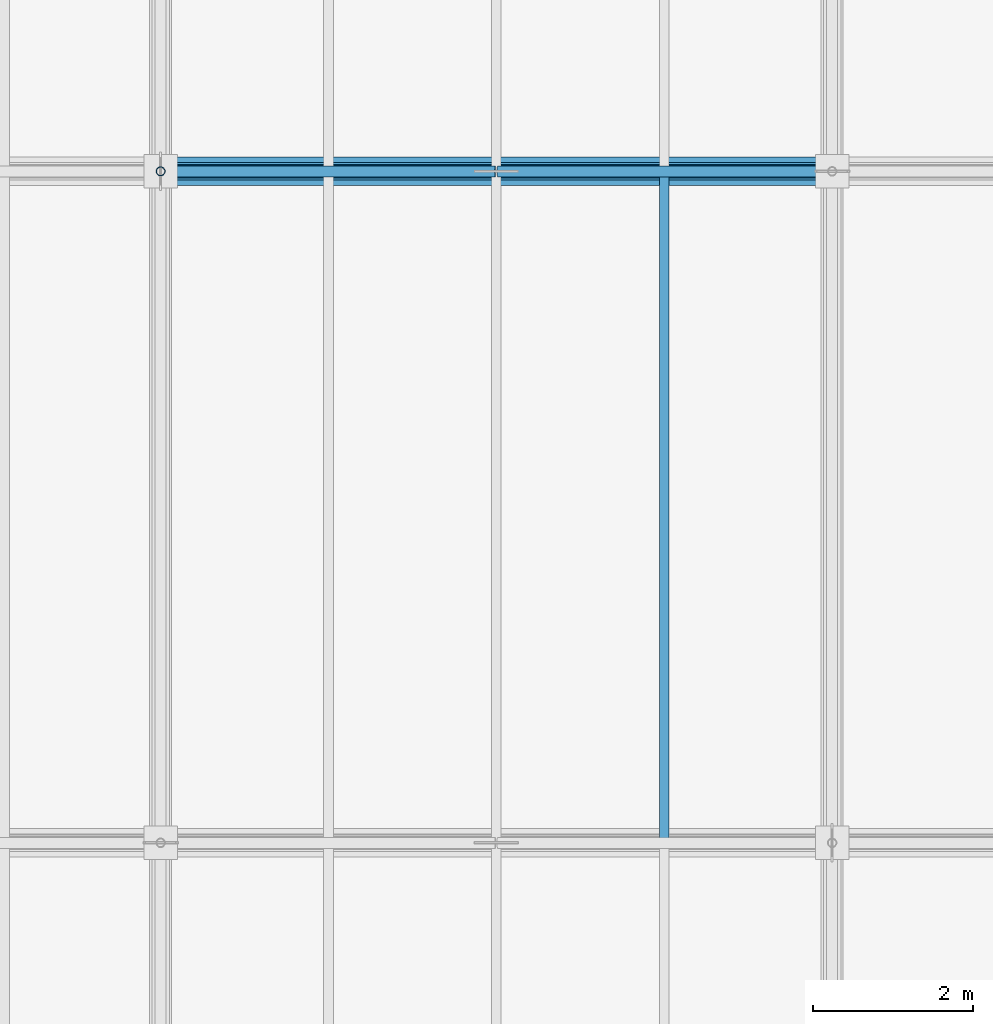
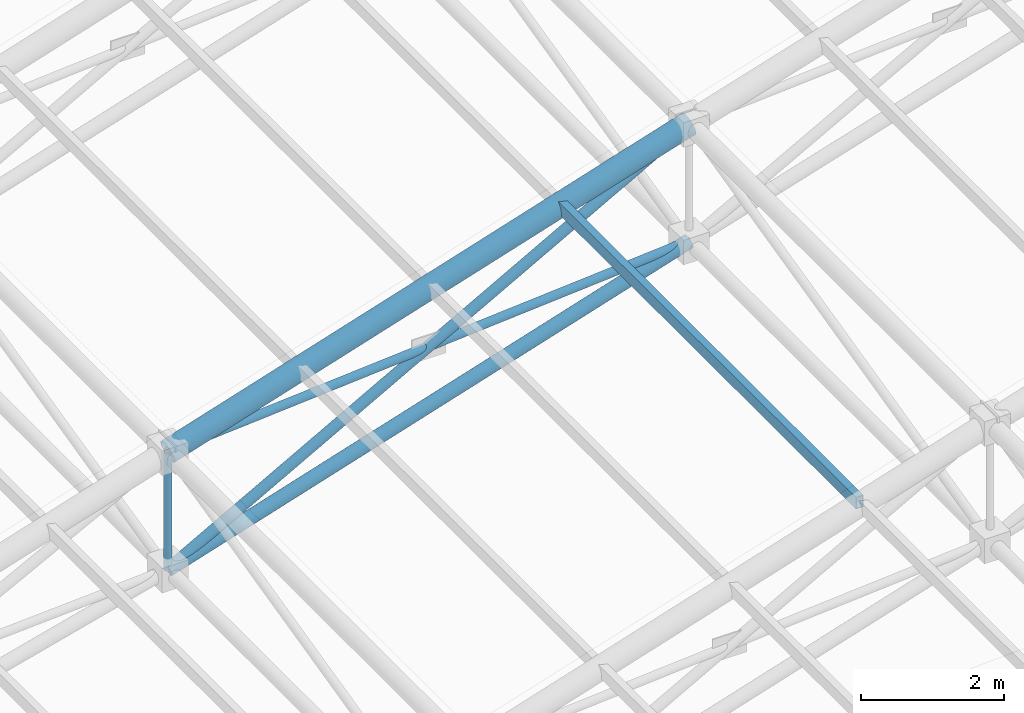
# One storey, part 32 of 144: 7 members.
"""IFC4 building model written with IfcOpenShell, lengths in metres."""

import ifcopenshell
import ifcopenshell.guid

model = None  # the IFC model being written
_history = None  # IfcOwnerHistory: only IFC2X3 demands one
_inside = {}  # id of a spatial element -> (the spatial element, [elements in it])
_under = {}  # id of a project, library or spatial element -> (it, [spatial elements below it])
_declared = {}  # id of a project -> (the project, [libraries it declares])
_typed = {}  # id of a type object -> (the type object, [elements of that type])
_made_of = {}  # id of a material, layer set ... -> (it, [elements and type objects made of it])


def new_model(schema):
    """Start an empty IFC model of exactly this schema.

    Asked for "IFC4X3", IfcOpenShell would pick the latest addendum, in which some entities
    have other attributes; the version numbers below select the first issue.
    IFC2X3 requires an IfcOwnerHistory on every rooted entity: one is made here for all.
    """
    global model, _history
    if schema == "IFC4X3":
        model = ifcopenshell.file(schema_version=(4, 3, 0, 0))
    else:
        model = ifcopenshell.file(schema=schema)
    _inside.clear()
    _under.clear()
    _declared.clear()
    _typed.clear()
    _made_of.clear()
    _history = None
    if model.schema == "IFC2X3":
        org = make("IfcOrganization", Name="unknown")
        user = make(
            "IfcPersonAndOrganization",
            ThePerson=make("IfcPerson", FamilyName="unknown"),
            TheOrganization=org,
        )
        app = make(
            "IfcApplication",
            ApplicationDeveloper=org,
            Version="unknown",
            ApplicationFullName="unknown",
            ApplicationIdentifier="unknown",
        )
        _history = make(
            "IfcOwnerHistory",
            OwningUser=user,
            OwningApplication=app,
            ChangeAction="ADDED",
            CreationDate=0,
        )
    return model


def make(cls, **values):
    """One entity of the class cls with the attributes given. An attribute that is None is left unset."""
    return model.create_entity(
        cls, **{name: value for name, value in values.items() if value is not None}
    )


def rooted(cls, **values):
    """An entity with a GlobalId (a new one), such as an element, a storey or a relation."""
    return make(cls, GlobalId=ifcopenshell.guid.new(), OwnerHistory=_history, **values)


def si_unit(unit_type, name, prefix=None):
    """IfcSIUnit, for example si_unit("LENGTHUNIT", "METRE", prefix="MILLI")."""
    return make("IfcSIUnit", UnitType=unit_type, Prefix=prefix, Name=name)


def assignment(units):
    """IfcUnitAssignment: the units of a project."""
    return None if units is None else make("IfcUnitAssignment", Units=units)


def point(xyz):
    """IfcCartesianPoint."""
    return None if xyz is None else make("IfcCartesianPoint", Coordinates=xyz)


def direction(xyz):
    """IfcDirection."""
    return None if xyz is None else make("IfcDirection", DirectionRatios=xyz)


def frame(location, z_axis=None, x_axis=None):
    """IfcAxis2Placement3D, a coordinate frame: its origin and axes. An axis left out is left unset."""
    return make(
        "IfcAxis2Placement3D",
        Location=point(location),
        Axis=direction(z_axis),
        RefDirection=direction(x_axis),
    )


def frame_2d(location, x_axis=None):
    """IfcAxis2Placement2D, a coordinate frame in the plane: its origin and x axis."""
    return make(
        "IfcAxis2Placement2D", Location=point(location), RefDirection=direction(x_axis)
    )


def origin():
    """The frame at (0, 0, 0) with its axes left unset."""
    return frame((0.0, 0.0, 0.0))


def origin_2d():
    """The frame at (0, 0) in the plane with its x axis left unset."""
    return frame_2d((0.0, 0.0))


def place(relative_to, where):
    """IfcLocalPlacement: puts the frame where relative to a parent placement (None: the world)."""
    return make(
        "IfcLocalPlacement", PlacementRelTo=relative_to, RelativePlacement=where
    )


def context(
    kind, dimensions, precision=None, world=None, true_north=None, identifier=None
):
    """IfcGeometricRepresentationContext, for example the 3D "Model" context."""
    return make(
        "IfcGeometricRepresentationContext",
        ContextIdentifier=identifier,
        ContextType=kind,
        CoordinateSpaceDimension=dimensions,
        Precision=precision,
        WorldCoordinateSystem=world,
        TrueNorth=true_north,
    )


def subcontext(parent, identifier, kind, view, scale=None):
    """IfcGeometricRepresentationSubContext, for example "Body" below "Model"."""
    return make(
        "IfcGeometricRepresentationSubContext",
        ContextIdentifier=identifier,
        ContextType=kind,
        ParentContext=parent,
        TargetScale=scale,
        TargetView=view,
    )


def project(units=None, contexts=None):
    """IfcProject with its units and contexts."""
    return rooted(
        "IfcProject",
        Name="project",
        RepresentationContexts=contexts,
        UnitsInContext=assignment(units),
    )


def spatial(cls, under=None, at=None, **own):
    """A site, building, storey or space (cls), placed at a placement, below another one or the project."""
    s = rooted(cls, ObjectPlacement=at, **own)
    if under is not None:
        _under.setdefault(under.id(), (under, []))[1].append(s)
    return s


def profile(cls, at=None, kind="AREA", **sizes):
    """A parametric profile (cls). Its sizes go by their IFC names, for example OverallWidth=200.0."""
    return make(cls, ProfileType=kind, Position=at, **sizes)


def hollow_rectangle(**sizes):
    """IfcRectangleHollowProfileDef."""
    return profile("IfcRectangleHollowProfileDef", **sizes)


def hollow_circle(**sizes):
    """IfcCircleHollowProfileDef."""
    return profile("IfcCircleHollowProfileDef", **sizes)


def extrude(swept, where, along, depth):
    """IfcExtrudedAreaSolid: the profile swept, set in the frame where, extruded along a direction by depth."""
    return make(
        "IfcExtrudedAreaSolid",
        SweptArea=swept,
        Position=where,
        ExtrudedDirection=direction(along),
        Depth=depth,
    )


def shape(context_of_items, identifier, shape_type, items):
    """IfcShapeRepresentation: the items that make up one representation, for example the "Body"."""
    return make(
        "IfcShapeRepresentation",
        ContextOfItems=context_of_items,
        RepresentationIdentifier=identifier,
        RepresentationType=shape_type,
        Items=items,
    )


def material(Name=None, Category=None):
    """IfcMaterial."""
    return make("IfcMaterial", Name=Name, Category=Category)


def material_profile(
    of_material, cross_section, Name=None, Category=None, Priority=None
):
    """IfcMaterialProfile: a cross section and its material."""
    return make(
        "IfcMaterialProfile",
        Name=Name,
        Material=of_material,
        Profile=cross_section,
        Priority=Priority,
        Category=Category,
    )


def profile_set(profiles, Name=None, composite=None):
    """IfcMaterialProfileSet."""
    return make(
        "IfcMaterialProfileSet",
        Name=Name,
        MaterialProfiles=profiles,
        CompositeProfile=composite,
    )


def made_of(thing, what):
    """Note that an element or type object is made of a material, layer set ...; save() writes the relation."""
    if what is not None:
        _made_of.setdefault(what.id(), (what, []))[1].append(thing)
    return thing


def type_object(cls, material=None, **own):
    """A type object (cls), such as IfcWallType, which elements share."""
    return made_of(rooted(cls, **own), material)


def element(
    cls,
    number,
    at=None,
    inside=None,
    cuts=None,
    type_object=None,
    material=None,
    context=None,
    identifier="Body",
    shape_type=None,
    held_by="IfcProductDefinitionShape",
    body=None,
    shapes=None,
    **own,
):
    """One element of the class cls, such as IfcWall. Its Tag is "e" and its number.

    at: its placement. inside: the storey or other place that contains it. cuts: it is an
    opening in that element (IfcRelVoidsElement). A single representation is given by context,
    identifier, shape_type and body (its items); several are given by shapes. held_by: the class
    of the entity that holds the representations. save() writes the other relations.
    """
    e = rooted(cls, Tag="e%d" % number, ObjectPlacement=at, **own)
    if body is not None:
        shapes = [shape(context, identifier, shape_type, body)]
    if shapes is not None:
        e.Representation = make(held_by, Representations=shapes)
    if inside is not None:
        _inside.setdefault(inside.id(), (inside, []))[1].append(e)
    if cuts is not None:
        rooted(
            "IfcRelVoidsElement", RelatingBuildingElement=cuts, RelatedOpeningElement=e
        )
    if type_object is not None:
        _typed.setdefault(type_object.id(), (type_object, []))[1].append(e)
    return made_of(e, material)


def aggregate(whole, parts):
    """IfcRelAggregates: a whole, such as a stair, and the parts it consists of."""
    return rooted("IfcRelAggregates", RelatingObject=whole, RelatedObjects=parts)


def save(model, path):
    """Write the relations noted so far, then the file.

    IfcRelAggregates (storeys below a building ...), IfcRelContainedInSpatialStructure (elements
    in a storey), IfcRelDefinesByType, IfcRelAssociatesMaterial and IfcRelDeclares: one each for
    every whole, place, type object, material and project.
    """
    for whole, parts in _under.values():
        aggregate(whole, parts)
    for where, things in _inside.values():
        rooted(
            "IfcRelContainedInSpatialStructure",
            RelatedElements=things,
            RelatingStructure=where,
        )
    for kind, things in _typed.values():
        rooted("IfcRelDefinesByType", RelatedObjects=things, RelatingType=kind)
    for what, things in _made_of.values():
        rooted("IfcRelAssociatesMaterial", RelatedObjects=things, RelatingMaterial=what)
    for by, libraries in _declared.values():
        rooted("IfcRelDeclares", RelatingContext=by, RelatedDefinitions=libraries)
    model.write(path)


model = new_model("IFC4")

# Units and contexts
model_context = context("Model", 3, precision=1e-05, world=origin(), true_north=direction((0.0, 1.0)))
body_context = subcontext(model_context, "Body", "Model", "MODEL_VIEW")
ifc_project = project(units=[si_unit("LENGTHUNIT", "METRE"), si_unit("AREAUNIT", "SQUARE_METRE"), si_unit("VOLUMEUNIT", "CUBIC_METRE"), si_unit("PLANEANGLEUNIT", "RADIAN"), si_unit("MASSUNIT", "GRAM", prefix="KILO")], contexts=[model_context])

# Site, building, storey
site_placement = place(None, origin())
site = spatial("IfcSite", under=ifc_project, at=site_placement, CompositionType="ELEMENT")
building_placement = place(site_placement, origin())
building = spatial("IfcBuilding", under=site, at=building_placement, Name="Zayran Congress Hotel", CompositionType="ELEMENT")
storey_placement = place(building_placement, frame((0.0, 0.0, 19.199951171875)))
storey = spatial("IfcBuildingStorey", under=building, at=storey_placement, Name="L04", CompositionType="ELEMENT", Elevation=19.199951171875)

# Members
ifc_material = material(Name="Steel S355", Category="steel")
ifc_material_profile_1 = material_profile(ifc_material, hollow_circle(Radius=0.177734375, WallThickness=0.01611328125, at=origin_2d()), Name="CHS 355.6x16")
ifc_profile_set_1 = profile_set([ifc_material_profile_1], Name="Steel S355")
member_type_1 = type_object("IfcMemberType", Name="TP-SF-TC1", PredefinedType="CHORD", material=ifc_profile_set_1)
member_1_placement = place(storey_placement, frame((16.800048828125, 84.39990234375, 4.652099609375), z_axis=(0.953670596398, 0.0, 0.300852777228), x_axis=(0.0, 1.0, 0.0)))
element("IfcMember", 1, at=member_1_placement, inside=storey, type_object=member_type_1, Name="Space Frame Top Chord X 76", PredefinedType="CHORD", context=body_context, shape_type="SweptSolid", body=[
    extrude(hollow_circle(Radius=0.177734375, WallThickness=0.01611328125, at=origin_2d()), origin(), (0.0, 0.0, 1.0), 8.807861328125),
])
ifc_material_profile_2 = material_profile(ifc_material, hollow_circle(Radius=0.109619140625, WallThickness=0.010009765625, at=origin_2d()), Name="CHS 219.1x10")
ifc_profile_set_2 = profile_set([ifc_material_profile_2], Name="Steel S355")
member_type_2 = type_object("IfcMemberType", Name="TP-SF-BC1", PredefinedType="CHORD", material=ifc_profile_set_2)
member_2_placement = place(storey_placement, frame((16.800048828125, 84.39990234375, 2.650146484375), z_axis=(0.953670596398, 0.0, 0.300852777228), x_axis=(0.0, 1.0, 0.0)))
element("IfcMember", 2, at=member_2_placement, inside=storey, type_object=member_type_2, Name="Space Frame Bottom Chord X 77", PredefinedType="CHORD", context=body_context, shape_type="SweptSolid", body=[
    extrude(hollow_circle(Radius=0.109619140625, WallThickness=0.010009765625, at=origin_2d()), origin(), (0.0, 0.0, 1.0), 8.807861328125),
])
ifc_material_profile_3 = material_profile(ifc_material, hollow_circle(Radius=0.084228515625, WallThickness=0.008056640625, at=origin_2d()), Name="CHS 168.3x8")
ifc_profile_set_3 = profile_set([ifc_material_profile_3], Name="Steel S355")
member_type_3 = type_object("IfcMemberType", Name="TP-SF-DG1", PredefinedType="BRACE", material=ifc_profile_set_3)
member_3_placement = place(storey_placement, frame((16.800048828125, 84.39990234375, 2.650146484375), z_axis=(0.87480892947, 0.0, 0.484468096905), x_axis=(0.0, 1.0, 0.0)))
element("IfcMember", 3, at=member_3_placement, inside=storey, type_object=member_type_3, Name="Space Frame Web Diagonal X 78", PredefinedType="BRACE", context=body_context, shape_type="SweptSolid", body=[
    extrude(hollow_circle(Radius=0.084228515625, WallThickness=0.008056640625, at=origin_2d()), origin(), (0.0, 0.0, 1.0), 9.60205078125),
])
ifc_material_profile_4 = material_profile(ifc_material, hollow_circle(Radius=0.06982421875, WallThickness=0.00634765625, at=origin_2d()), Name="CHS 139.7x6.3")
ifc_profile_set_4 = profile_set([ifc_material_profile_4], Name="Steel S355")
member_type_4 = type_object("IfcMemberType", Name="TP-SF-DG2", PredefinedType="BRACE", material=ifc_profile_set_4)
for number, where, z_axis, x_axis, name in (
    (4, (16.800048828125, 84.39990234375, 4.652099609375), (0.997039412202, 0.0, 0.076892200614), (0.0, 1.0, 0.0), "Space Frame Counter Diagonal X Upper 79"),
    (5, (21.014892578125, 84.39990234375, 4.977294921875), (0.997039412202, 0.0, 0.076892200614), (0.0, 1.0, 0.0), "Space Frame Counter Diagonal X Lower 16"),
):
    element("IfcMember", number, at=place(storey_placement, frame(where, z_axis=z_axis, x_axis=x_axis)), inside=storey, type_object=member_type_4, Name=name, PredefinedType="BRACE", context=body_context, shape_type="SweptSolid", body=[
        extrude(hollow_circle(Radius=0.06982421875, WallThickness=0.00634765625, at=origin_2d()), origin(), (0.0, 0.0, 1.0), 4.197509765625),
    ])
ifc_material_profile_5 = material_profile(ifc_material, hollow_circle(Radius=0.05712890625, WallThickness=0.00634765625, at=origin_2d()), Name="CHS 114.3x6.3")
ifc_profile_set_5 = profile_set([ifc_material_profile_5], Name="Steel S355")
member_type_5 = type_object("IfcMemberType", Name="TP-SF-DG3", PredefinedType="BRACE", material=ifc_profile_set_5)
member_4_placement = place(storey_placement, frame((16.800048828125, 84.39990234375, 2.650146484375), z_axis=(0.0, 0.0, 1.0), x_axis=(0.0, 1.0, 0.0)))
element("IfcMember", 6, at=member_4_placement, inside=storey, type_object=member_type_5, Name="Space Frame Web Strut 83", PredefinedType="BRACE", context=body_context, shape_type="SweptSolid", body=[
    extrude(hollow_circle(Radius=0.05712890625, WallThickness=0.00634765625, at=origin_2d()), origin(), (0.0, 0.0, 1.0), 2.001953125),
])
ifc_material_profile_6 = material_profile(ifc_material, hollow_rectangle(XDim=0.1201171875, YDim=0.199951171875, WallThickness=0.008056640625, at=origin_2d()), Name="RHS 200x120x8")
ifc_profile_set_6 = profile_set([ifc_material_profile_6], Name="Steel S355")
member_type_6 = type_object("IfcMemberType", Name="TP-PR-01", PredefinedType="PURLIN", material=ifc_profile_set_6)
member_5_placement = place(storey_placement, frame((23.10009765625, 76.0, 6.681640625), z_axis=(0.0, 1.0, 0.0), x_axis=(-1.0, 0.0, 0.0)))
element("IfcMember", 7, at=member_5_placement, inside=storey, type_object=member_type_6, Name="MEM-PR-V1-0032", PredefinedType="PURLIN", context=body_context, shape_type="SweptSolid", body=[
    extrude(hollow_rectangle(XDim=0.1201171875, YDim=0.199951171875, WallThickness=0.008056640625, at=origin_2d()), origin(), (0.0, 0.0, 1.0), 8.39990234375),
])

save(model, "model.ifc")
